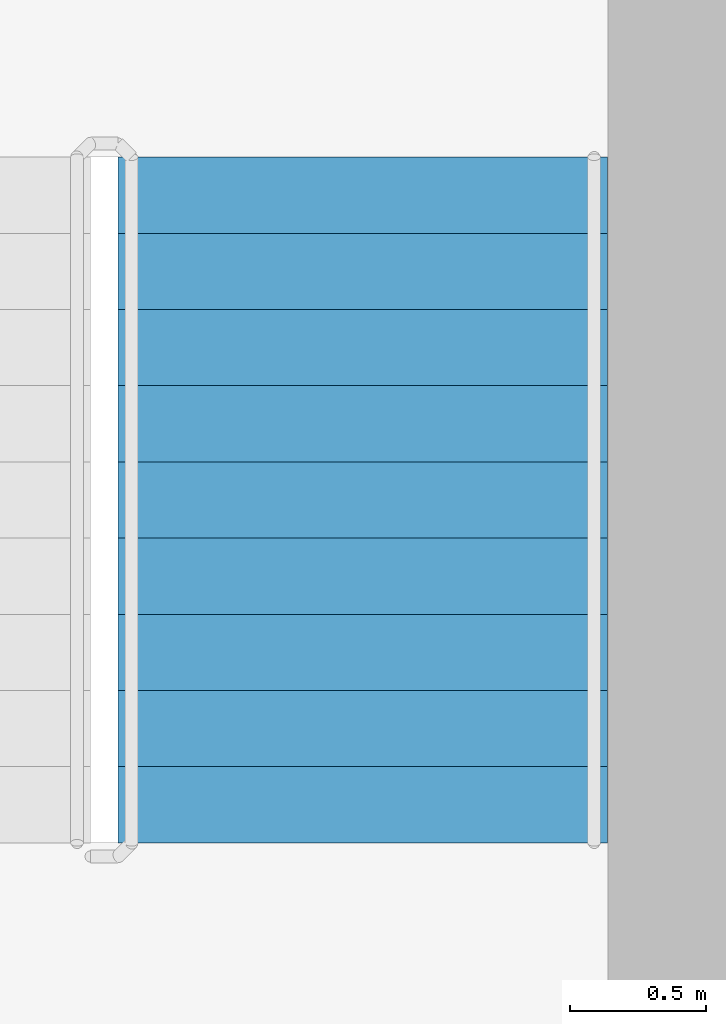
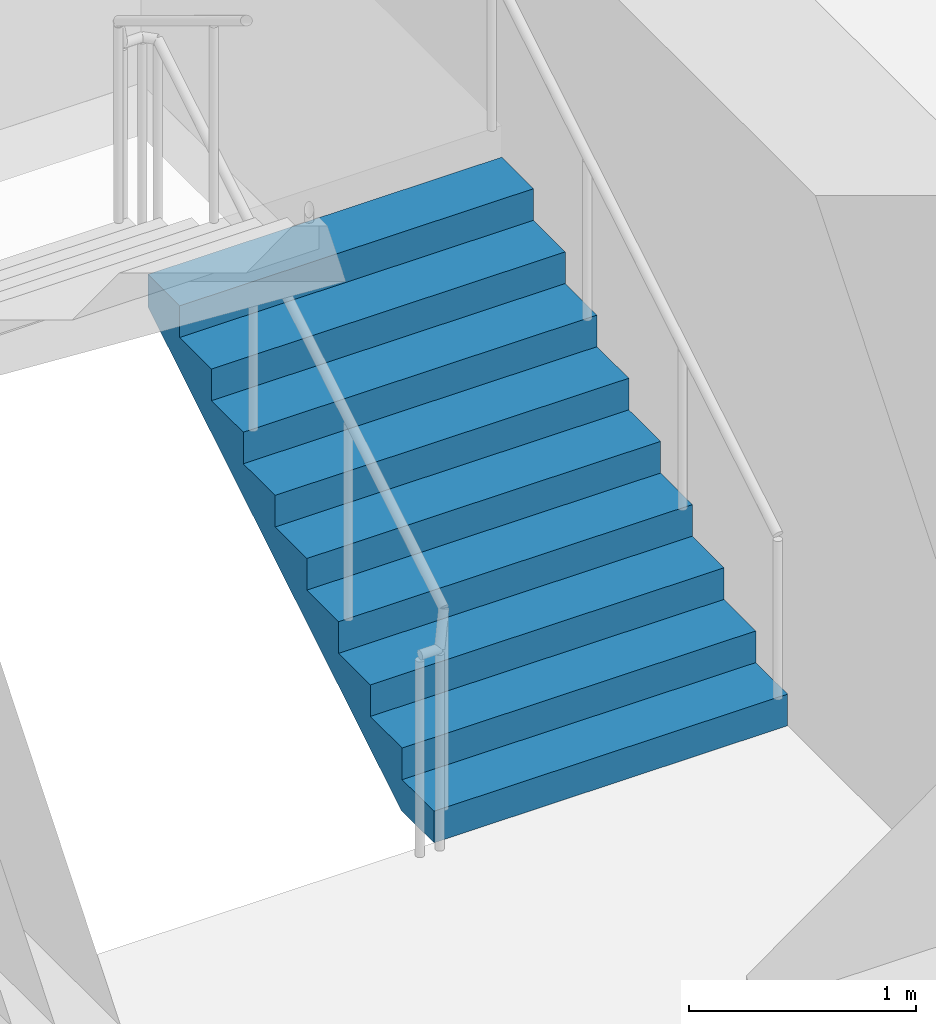
# One storey, part 10 of 13: 1 stair flight, 1 element without a shape of its own.
"""IFC4 building model written with IfcOpenShell, lengths in metres."""

from ifc_helpers import new_model, si_unit, direction, frame, origin, place, context, subcontext, project, spatial, triangles, source, transform, mapped, material, type_object, element, aggregate, save


model = new_model("IFC4")

# Units and contexts
model_context = context("Model", 3, precision=1e-05, world=origin(), true_north=direction((0.0, 1.0)))
body_context = subcontext(model_context, "Body", "Model", "MODEL_VIEW")
ifc_project = project(units=[si_unit("LENGTHUNIT", "METRE"), si_unit("AREAUNIT", "SQUARE_METRE"), si_unit("VOLUMEUNIT", "CUBIC_METRE"), si_unit("PLANEANGLEUNIT", "RADIAN"), si_unit("MASSUNIT", "GRAM", prefix="KILO")], contexts=[model_context])

# Site, building, storey
site_placement = place(None, origin())
site = spatial("IfcSite", under=ifc_project, at=site_placement, CompositionType="ELEMENT")
building_placement = place(site_placement, origin())
building = spatial("IfcBuilding", under=site, at=building_placement, Name="Kilnfold Tower and Market Hall", CompositionType="ELEMENT")
storey_placement = place(building_placement, frame((0.0, 0.0, 259.39990234375)))
storey = spatial("IfcBuildingStorey", under=building, at=storey_placement, Name="L63", CompositionType="ELEMENT", Elevation=259.39990234375)

# Stair, stair flight
ifc_material_1 = material(Name="Concrete C40/50", Category="concrete")
stair_type = type_object("IfcStairType", Name="CORE STAIR 1800", PredefinedType="HALF_TURN_STAIR", material=ifc_material_1)
stair_placement = place(storey_placement, origin())
stair = element("IfcStair", 1, at=stair_placement, inside=storey, type_object=stair_type, Name="L63 ST2", PredefinedType="HALF_TURN_STAIR")
ifc_material_2 = material(Name="Concrete C40/50", Category="concrete")
stair_flight_type = type_object("IfcStairFlightType", Name="CORE STAIR FLIGHT 1800", PredefinedType="STRAIGHT", material=ifc_material_2)
shared_shape = source(origin(), body_context, "Body", "Tessellation", [
    triangles([(0.0, 0.89990234375, 0.0), (0.0, 0.78759765625, 0.0), (0.0, 0.675048828125, 0.0), (0.0, 0.5625, 0.0), (0.0, 0.449951171875, 0.0), (0.0, 0.33740234375, 0.0), (0.0, 0.22509765625, 0.0), (0.0, 0.112548828125, 0.0), (0.0, 0.0, 0.0), (0.0, -0.112548828125, 0.0), (0.0, -0.22509765625, 0.0), (0.0, -0.33740234375, 0.0), (0.0, -0.449951171875, 0.0), (0.0, -0.5625, 0.0), (0.0, -0.675048828125, 0.0), (0.0, -0.78759765625, 0.0), (0.0, -0.89990234375, 0.0), (0.0, 0.89990234375, 0.169921875), (0.0, 0.78759765625, 0.169921875), (0.0, 0.675048828125, 0.169921875), (0.0, 0.5625, 0.169921875), (0.0, 0.449951171875, 0.169921875), (0.0, 0.33740234375, 0.169921875), (0.0, 0.22509765625, 0.169921875), (0.0, 0.112548828125, 0.169921875), (0.0, 0.0, 0.169921875), (0.0, -0.112548828125, 0.169921875), (0.0, -0.22509765625, 0.169921875), (0.0, -0.33740234375, 0.169921875), (0.0, -0.449951171875, 0.169921875), (0.0, -0.5625, 0.169921875), (0.0, -0.675048828125, 0.169921875), (0.0, -0.78759765625, 0.169921875), (0.0, -0.89990234375, 0.169921875), (0.280029296875, 0.89990234375, 0.169921875), (0.280029296875, 0.78759765625, 0.169921875), (0.280029296875, 0.675048828125, 0.169921875), (0.280029296875, 0.5625, 0.169921875), (0.280029296875, 0.449951171875, 0.169921875), (0.280029296875, 0.33740234375, 0.169921875), (0.280029296875, 0.22509765625, 0.169921875), (0.280029296875, 0.112548828125, 0.169921875), (0.280029296875, 0.0, 0.169921875), (0.280029296875, -0.112548828125, 0.169921875), (0.280029296875, -0.22509765625, 0.169921875), (0.280029296875, -0.33740234375, 0.169921875), (0.280029296875, -0.449951171875, 0.169921875), (0.280029296875, -0.5625, 0.169921875), (0.280029296875, -0.675048828125, 0.169921875), (0.280029296875, -0.78759765625, 0.169921875), (0.280029296875, -0.89990234375, 0.169921875), (0.280029296875, 0.89990234375, 0.340087890625), (0.280029296875, 0.78759765625, 0.340087890625), (0.280029296875, 0.675048828125, 0.340087890625), (0.280029296875, 0.5625, 0.340087890625), (0.280029296875, 0.449951171875, 0.340087890625), (0.280029296875, 0.33740234375, 0.340087890625), (0.280029296875, 0.22509765625, 0.340087890625), (0.280029296875, 0.112548828125, 0.340087890625), (0.280029296875, 0.0, 0.340087890625), (0.280029296875, -0.112548828125, 0.340087890625), (0.280029296875, -0.22509765625, 0.340087890625), (0.280029296875, -0.33740234375, 0.340087890625), (0.280029296875, -0.449951171875, 0.340087890625), (0.280029296875, -0.5625, 0.340087890625), (0.280029296875, -0.675048828125, 0.340087890625), (0.280029296875, -0.78759765625, 0.340087890625), (0.280029296875, -0.89990234375, 0.340087890625), (0.56005859375, 0.89990234375, 0.340087890625), (0.56005859375, 0.78759765625, 0.340087890625), (0.56005859375, 0.675048828125, 0.340087890625), (0.56005859375, 0.5625, 0.340087890625), (0.56005859375, 0.449951171875, 0.340087890625), (0.56005859375, 0.33740234375, 0.340087890625), (0.56005859375, 0.22509765625, 0.340087890625), (0.56005859375, 0.112548828125, 0.340087890625), (0.56005859375, 0.0, 0.340087890625), (0.56005859375, -0.112548828125, 0.340087890625), (0.56005859375, -0.22509765625, 0.340087890625), (0.56005859375, -0.33740234375, 0.340087890625), (0.56005859375, -0.449951171875, 0.340087890625), (0.56005859375, -0.5625, 0.340087890625), (0.56005859375, -0.675048828125, 0.340087890625), (0.56005859375, -0.78759765625, 0.340087890625), (0.56005859375, -0.89990234375, 0.340087890625), (0.56005859375, 0.89990234375, 0.510009765625), (0.56005859375, 0.78759765625, 0.510009765625), (0.56005859375, 0.675048828125, 0.510009765625), (0.56005859375, 0.5625, 0.510009765625), (0.56005859375, 0.449951171875, 0.510009765625), (0.56005859375, 0.33740234375, 0.510009765625), (0.56005859375, 0.22509765625, 0.510009765625), (0.56005859375, 0.112548828125, 0.510009765625), (0.56005859375, 0.0, 0.510009765625), (0.56005859375, -0.112548828125, 0.510009765625), (0.56005859375, -0.22509765625, 0.510009765625), (0.56005859375, -0.33740234375, 0.510009765625), (0.56005859375, -0.449951171875, 0.510009765625), (0.56005859375, -0.5625, 0.510009765625), (0.56005859375, -0.675048828125, 0.510009765625), (0.56005859375, -0.78759765625, 0.510009765625), (0.56005859375, -0.89990234375, 0.510009765625), (0.840087890625, 0.89990234375, 0.510009765625), (0.840087890625, 0.78759765625, 0.510009765625), (0.840087890625, 0.675048828125, 0.510009765625), (0.840087890625, 0.5625, 0.510009765625), (0.840087890625, 0.449951171875, 0.510009765625), (0.840087890625, 0.33740234375, 0.510009765625), (0.840087890625, 0.22509765625, 0.510009765625), (0.840087890625, 0.112548828125, 0.510009765625), (0.840087890625, 0.0, 0.510009765625), (0.840087890625, -0.112548828125, 0.510009765625), (0.840087890625, -0.22509765625, 0.510009765625), (0.840087890625, -0.33740234375, 0.510009765625), (0.840087890625, -0.449951171875, 0.510009765625), (0.840087890625, -0.5625, 0.510009765625), (0.840087890625, -0.675048828125, 0.510009765625), (0.840087890625, -0.78759765625, 0.510009765625), (0.840087890625, -0.89990234375, 0.510009765625), (0.840087890625, 0.89990234375, 0.679931640625), (0.840087890625, 0.78759765625, 0.679931640625), (0.840087890625, 0.675048828125, 0.679931640625), (0.840087890625, 0.5625, 0.679931640625), (0.840087890625, 0.449951171875, 0.679931640625), (0.840087890625, 0.33740234375, 0.679931640625), (0.840087890625, 0.22509765625, 0.679931640625), (0.840087890625, 0.112548828125, 0.679931640625), (0.840087890625, 0.0, 0.679931640625), (0.840087890625, -0.112548828125, 0.679931640625), (0.840087890625, -0.22509765625, 0.679931640625), (0.840087890625, -0.33740234375, 0.679931640625), (0.840087890625, -0.449951171875, 0.679931640625), (0.840087890625, -0.5625, 0.679931640625), (0.840087890625, -0.675048828125, 0.679931640625), (0.840087890625, -0.78759765625, 0.679931640625), (0.840087890625, -0.89990234375, 0.679931640625), (1.1201171875, 0.89990234375, 0.679931640625), (1.1201171875, 0.78759765625, 0.679931640625), (1.1201171875, 0.675048828125, 0.679931640625), (1.1201171875, 0.5625, 0.679931640625), (1.1201171875, 0.449951171875, 0.679931640625), (1.1201171875, 0.33740234375, 0.679931640625), (1.1201171875, 0.22509765625, 0.679931640625), (1.1201171875, 0.112548828125, 0.679931640625), (1.1201171875, 0.0, 0.679931640625), (1.1201171875, -0.112548828125, 0.679931640625), (1.1201171875, -0.22509765625, 0.679931640625), (1.1201171875, -0.33740234375, 0.679931640625), (1.1201171875, -0.449951171875, 0.679931640625), (1.1201171875, -0.5625, 0.679931640625), (1.1201171875, -0.675048828125, 0.679931640625), (1.1201171875, -0.78759765625, 0.679931640625), (1.1201171875, -0.89990234375, 0.679931640625), (1.1201171875, 0.89990234375, 0.85009765625), (1.1201171875, 0.78759765625, 0.85009765625), (1.1201171875, 0.675048828125, 0.85009765625), (1.1201171875, 0.5625, 0.85009765625), (1.1201171875, 0.449951171875, 0.85009765625), (1.1201171875, 0.33740234375, 0.85009765625), (1.1201171875, 0.22509765625, 0.85009765625), (1.1201171875, 0.112548828125, 0.85009765625), (1.1201171875, 0.0, 0.85009765625), (1.1201171875, -0.112548828125, 0.85009765625), (1.1201171875, -0.22509765625, 0.85009765625), (1.1201171875, -0.33740234375, 0.85009765625), (1.1201171875, -0.449951171875, 0.85009765625), (1.1201171875, -0.5625, 0.85009765625), (1.1201171875, -0.675048828125, 0.85009765625), (1.1201171875, -0.78759765625, 0.85009765625), (1.1201171875, -0.89990234375, 0.85009765625), (1.39990234375, 0.89990234375, 0.85009765625), (1.39990234375, 0.78759765625, 0.85009765625), (1.39990234375, 0.675048828125, 0.85009765625), (1.39990234375, 0.5625, 0.85009765625), (1.39990234375, 0.449951171875, 0.85009765625), (1.39990234375, 0.33740234375, 0.85009765625), (1.39990234375, 0.22509765625, 0.85009765625), (1.39990234375, 0.112548828125, 0.85009765625), (1.39990234375, 0.0, 0.85009765625), (1.39990234375, -0.112548828125, 0.85009765625), (1.39990234375, -0.22509765625, 0.85009765625), (1.39990234375, -0.33740234375, 0.85009765625), (1.39990234375, -0.449951171875, 0.85009765625), (1.39990234375, -0.5625, 0.85009765625), (1.39990234375, -0.675048828125, 0.85009765625), (1.39990234375, -0.78759765625, 0.85009765625), (1.39990234375, -0.89990234375, 0.85009765625), (1.39990234375, 0.89990234375, 1.02001953125), (1.39990234375, 0.78759765625, 1.02001953125), (1.39990234375, 0.675048828125, 1.02001953125), (1.39990234375, 0.5625, 1.02001953125), (1.39990234375, 0.449951171875, 1.02001953125), (1.39990234375, 0.33740234375, 1.02001953125), (1.39990234375, 0.22509765625, 1.02001953125), (1.39990234375, 0.112548828125, 1.02001953125), (1.39990234375, 0.0, 1.02001953125), (1.39990234375, -0.112548828125, 1.02001953125), (1.39990234375, -0.22509765625, 1.02001953125), (1.39990234375, -0.33740234375, 1.02001953125), (1.39990234375, -0.449951171875, 1.02001953125), (1.39990234375, -0.5625, 1.02001953125), (1.39990234375, -0.675048828125, 1.02001953125), (1.39990234375, -0.78759765625, 1.02001953125), (1.39990234375, -0.89990234375, 1.02001953125), (1.679931640625, 0.89990234375, 1.02001953125), (1.679931640625, 0.78759765625, 1.02001953125), (1.679931640625, 0.675048828125, 1.02001953125), (1.679931640625, 0.5625, 1.02001953125), (1.679931640625, 0.449951171875, 1.02001953125), (1.679931640625, 0.33740234375, 1.02001953125), (1.679931640625, 0.22509765625, 1.02001953125), (1.679931640625, 0.112548828125, 1.02001953125), (1.679931640625, 0.0, 1.02001953125), (1.679931640625, -0.112548828125, 1.02001953125), (1.679931640625, -0.22509765625, 1.02001953125), (1.679931640625, -0.33740234375, 1.02001953125), (1.679931640625, -0.449951171875, 1.02001953125), (1.679931640625, -0.5625, 1.02001953125), (1.679931640625, -0.675048828125, 1.02001953125), (1.679931640625, -0.78759765625, 1.02001953125), (1.679931640625, -0.89990234375, 1.02001953125), (1.679931640625, 0.89990234375, 1.18994140625), (1.679931640625, 0.78759765625, 1.18994140625), (1.679931640625, 0.675048828125, 1.18994140625), (1.679931640625, 0.5625, 1.18994140625), (1.679931640625, 0.449951171875, 1.18994140625), (1.679931640625, 0.33740234375, 1.18994140625), (1.679931640625, 0.22509765625, 1.18994140625), (1.679931640625, 0.112548828125, 1.18994140625), (1.679931640625, 0.0, 1.18994140625), (1.679931640625, -0.112548828125, 1.18994140625), (1.679931640625, -0.22509765625, 1.18994140625), (1.679931640625, -0.33740234375, 1.18994140625), (1.679931640625, -0.449951171875, 1.18994140625), (1.679931640625, -0.5625, 1.18994140625), (1.679931640625, -0.675048828125, 1.18994140625), (1.679931640625, -0.78759765625, 1.18994140625), (1.679931640625, -0.89990234375, 1.18994140625), (1.9599609375, 0.89990234375, 1.18994140625), (1.9599609375, 0.78759765625, 1.18994140625), (1.9599609375, 0.675048828125, 1.18994140625), (1.9599609375, 0.5625, 1.18994140625), (1.9599609375, 0.449951171875, 1.18994140625), (1.9599609375, 0.33740234375, 1.18994140625), (1.9599609375, 0.22509765625, 1.18994140625), (1.9599609375, 0.112548828125, 1.18994140625), (1.9599609375, 0.0, 1.18994140625), (1.9599609375, -0.112548828125, 1.18994140625), (1.9599609375, -0.22509765625, 1.18994140625), (1.9599609375, -0.33740234375, 1.18994140625), (1.9599609375, -0.449951171875, 1.18994140625), (1.9599609375, -0.5625, 1.18994140625), (1.9599609375, -0.675048828125, 1.18994140625), (1.9599609375, -0.78759765625, 1.18994140625), (1.9599609375, -0.89990234375, 1.18994140625), (1.9599609375, 0.89990234375, 1.360107421875), (1.9599609375, 0.78759765625, 1.360107421875), (1.9599609375, 0.675048828125, 1.360107421875), (1.9599609375, 0.5625, 1.360107421875), (1.9599609375, 0.449951171875, 1.360107421875), (1.9599609375, 0.33740234375, 1.360107421875), (1.9599609375, 0.22509765625, 1.360107421875), (1.9599609375, 0.112548828125, 1.360107421875), (1.9599609375, 0.0, 1.360107421875), (1.9599609375, -0.112548828125, 1.360107421875), (1.9599609375, -0.22509765625, 1.360107421875), (1.9599609375, -0.33740234375, 1.360107421875), (1.9599609375, -0.449951171875, 1.360107421875), (1.9599609375, -0.5625, 1.360107421875), (1.9599609375, -0.675048828125, 1.360107421875), (1.9599609375, -0.78759765625, 1.360107421875), (1.9599609375, -0.89990234375, 1.360107421875), (2.239990234375, 0.89990234375, 1.360107421875), (2.239990234375, 0.78759765625, 1.360107421875), (2.239990234375, 0.675048828125, 1.360107421875), (2.239990234375, 0.5625, 1.360107421875), (2.239990234375, 0.449951171875, 1.360107421875), (2.239990234375, 0.33740234375, 1.360107421875), (2.239990234375, 0.22509765625, 1.360107421875), (2.239990234375, 0.112548828125, 1.360107421875), (2.239990234375, 0.0, 1.360107421875), (2.239990234375, -0.112548828125, 1.360107421875), (2.239990234375, -0.22509765625, 1.360107421875), (2.239990234375, -0.33740234375, 1.360107421875), (2.239990234375, -0.449951171875, 1.360107421875), (2.239990234375, -0.5625, 1.360107421875), (2.239990234375, -0.675048828125, 1.360107421875), (2.239990234375, -0.78759765625, 1.360107421875), (2.239990234375, -0.89990234375, 1.360107421875), (2.239990234375, 0.89990234375, 1.530029296875), (2.239990234375, 0.78759765625, 1.530029296875), (2.239990234375, 0.675048828125, 1.530029296875), (2.239990234375, 0.5625, 1.530029296875), (2.239990234375, 0.449951171875, 1.530029296875), (2.239990234375, 0.33740234375, 1.530029296875), (2.239990234375, 0.22509765625, 1.530029296875), (2.239990234375, 0.112548828125, 1.530029296875), (2.239990234375, 0.0, 1.530029296875), (2.239990234375, -0.112548828125, 1.530029296875), (2.239990234375, -0.22509765625, 1.530029296875), (2.239990234375, -0.33740234375, 1.530029296875), (2.239990234375, -0.449951171875, 1.530029296875), (2.239990234375, -0.5625, 1.530029296875), (2.239990234375, -0.675048828125, 1.530029296875), (2.239990234375, -0.78759765625, 1.530029296875), (2.239990234375, -0.89990234375, 1.530029296875), (2.52001953125, 0.89990234375, 1.530029296875), (2.52001953125, 0.78759765625, 1.530029296875), (2.52001953125, 0.675048828125, 1.530029296875), (2.52001953125, 0.5625, 1.530029296875), (2.52001953125, 0.449951171875, 1.530029296875), (2.52001953125, 0.33740234375, 1.530029296875), (2.52001953125, 0.22509765625, 1.530029296875), (2.52001953125, 0.112548828125, 1.530029296875), (2.52001953125, 0.0, 1.530029296875), (2.52001953125, -0.112548828125, 1.530029296875), (2.52001953125, -0.22509765625, 1.530029296875), (2.52001953125, -0.33740234375, 1.530029296875), (2.52001953125, -0.449951171875, 1.530029296875), (2.52001953125, -0.5625, 1.530029296875), (2.52001953125, -0.675048828125, 1.530029296875), (2.52001953125, -0.78759765625, 1.530029296875), (2.52001953125, -0.89990234375, 1.530029296875), (2.52001953125, 0.89990234375, 1.354736328125), (2.52001953125, 0.78759765625, 1.354736328125), (2.52001953125, 0.675048828125, 1.354736328125), (2.52001953125, 0.5625, 1.354736328125), (2.52001953125, 0.449951171875, 1.354736328125), (2.52001953125, 0.33740234375, 1.354736328125), (2.52001953125, 0.22509765625, 1.354736328125), (2.52001953125, 0.112548828125, 1.354736328125), (2.52001953125, 0.0, 1.354736328125), (2.52001953125, -0.112548828125, 1.354736328125), (2.52001953125, -0.22509765625, 1.354736328125), (2.52001953125, -0.33740234375, 1.354736328125), (2.52001953125, -0.449951171875, 1.354736328125), (2.52001953125, -0.5625, 1.354736328125), (2.52001953125, -0.675048828125, 1.354736328125), (2.52001953125, -0.78759765625, 1.354736328125), (2.52001953125, -0.89990234375, 1.354736328125), (0.288818359375, 0.89990234375, 0.0), (0.288818359375, 0.78759765625, 0.0), (0.288818359375, 0.675048828125, 0.0), (0.288818359375, 0.5625, 0.0), (0.288818359375, 0.449951171875, 0.0), (0.288818359375, 0.33740234375, 0.0), (0.288818359375, 0.22509765625, 0.0), (0.288818359375, 0.112548828125, 0.0), (0.288818359375, 0.0, 0.0), (0.288818359375, -0.112548828125, 0.0), (0.288818359375, -0.22509765625, 0.0), (0.288818359375, -0.33740234375, 0.0), (0.288818359375, -0.449951171875, 0.0), (0.288818359375, -0.5625, 0.0), (0.288818359375, -0.675048828125, 0.0), (0.288818359375, -0.78759765625, 0.0), (0.288818359375, -0.89990234375, 0.0)], [[1, 324, 341], [17, 357, 340], [324, 290, 307], [340, 323, 306], [324, 273, 290], [340, 306, 289], [324, 256, 273], [340, 289, 272], [324, 239, 256], [340, 272, 255], [239, 205, 222], [255, 238, 221], [324, 205, 239], [340, 255, 221], [205, 171, 188], [221, 204, 187], [324, 171, 205], [340, 221, 187], [171, 137, 154], [187, 170, 153], [324, 137, 171], [340, 187, 153], [137, 103, 120], [153, 136, 119], [324, 103, 137], [340, 153, 119], [103, 69, 86], [119, 102, 85], [324, 69, 103], [340, 119, 85], [69, 35, 52], [85, 68, 51], [324, 35, 69], [340, 85, 51], [1, 35, 324], [17, 340, 51], [35, 1, 18], [51, 34, 17], [1, 19, 18], [1, 2, 19], [2, 20, 19], [2, 3, 20], [3, 21, 20], [3, 4, 21], [4, 22, 21], [4, 5, 22], [5, 23, 22], [5, 6, 23], [6, 24, 23], [6, 7, 24], [7, 25, 24], [7, 8, 25], [8, 26, 25], [8, 9, 26], [9, 27, 26], [9, 10, 27], [10, 28, 27], [10, 11, 28], [11, 29, 28], [11, 12, 29], [12, 30, 29], [12, 13, 30], [13, 31, 30], [13, 14, 31], [14, 32, 31], [14, 15, 32], [15, 33, 32], [15, 16, 33], [16, 34, 33], [16, 17, 34], [18, 36, 35], [18, 19, 36], [19, 37, 36], [19, 20, 37], [20, 38, 37], [20, 21, 38], [21, 39, 38], [21, 22, 39], [22, 40, 39], [22, 23, 40], [23, 41, 40], [23, 24, 41], [24, 42, 41], [24, 25, 42], [25, 43, 42], [25, 26, 43], [26, 44, 43], [26, 27, 44], [27, 45, 44], [27, 28, 45], [28, 46, 45], [28, 29, 46], [29, 47, 46], [29, 30, 47], [30, 48, 47], [30, 31, 48], [31, 49, 48], [31, 32, 49], [32, 50, 49], [32, 33, 50], [33, 51, 50], [33, 34, 51], [35, 53, 52], [35, 36, 53], [36, 54, 53], [36, 37, 54], [37, 55, 54], [37, 38, 55], [38, 56, 55], [38, 39, 56], [39, 57, 56], [39, 40, 57], [40, 58, 57], [40, 41, 58], [41, 59, 58], [41, 42, 59], [42, 60, 59], [42, 43, 60], [43, 61, 60], [43, 44, 61], [44, 62, 61], [44, 45, 62], [45, 63, 62], [45, 46, 63], [46, 64, 63], [46, 47, 64], [47, 65, 64], [47, 48, 65], [48, 66, 65], [48, 49, 66], [49, 67, 66], [49, 50, 67], [50, 68, 67], [50, 51, 68], [52, 70, 69], [52, 53, 70], [53, 71, 70], [53, 54, 71], [54, 72, 71], [54, 55, 72], [55, 73, 72], [55, 56, 73], [56, 74, 73], [56, 57, 74], [57, 75, 74], [57, 58, 75], [58, 76, 75], [58, 59, 76], [59, 77, 76], [59, 60, 77], [60, 78, 77], [60, 61, 78], [61, 79, 78], [61, 62, 79], [62, 80, 79], [62, 63, 80], [63, 81, 80], [63, 64, 81], [64, 82, 81], [64, 65, 82], [65, 83, 82], [65, 66, 83], [66, 84, 83], [66, 67, 84], [67, 85, 84], [67, 68, 85], [69, 87, 86], [69, 70, 87], [70, 88, 87], [70, 71, 88], [71, 89, 88], [71, 72, 89], [72, 90, 89], [72, 73, 90], [73, 91, 90], [73, 74, 91], [74, 92, 91], [74, 75, 92], [75, 93, 92], [75, 76, 93], [76, 94, 93], [76, 77, 94], [77, 95, 94], [77, 78, 95], [78, 96, 95], [78, 79, 96], [79, 97, 96], [79, 80, 97], [80, 98, 97], [80, 81, 98], [81, 99, 98], [81, 82, 99], [82, 100, 99], [82, 83, 100], [83, 101, 100], [83, 84, 101], [84, 102, 101], [84, 85, 102], [86, 104, 103], [86, 87, 104], [87, 105, 104], [87, 88, 105], [88, 106, 105], [88, 89, 106], [89, 107, 106], [89, 90, 107], [90, 108, 107], [90, 91, 108], [91, 109, 108], [91, 92, 109], [92, 110, 109], [92, 93, 110], [93, 111, 110], [93, 94, 111], [94, 112, 111], [94, 95, 112], [95, 113, 112], [95, 96, 113], [96, 114, 113], [96, 97, 114], [97, 115, 114], [97, 98, 115], [98, 116, 115], [98, 99, 116], [99, 117, 116], [99, 100, 117], [100, 118, 117], [100, 101, 118], [101, 119, 118], [101, 102, 119], [103, 121, 120], [103, 104, 121], [104, 122, 121], [104, 105, 122], [105, 123, 122], [105, 106, 123], [106, 124, 123], [106, 107, 124], [107, 125, 124], [107, 108, 125], [108, 126, 125], [108, 109, 126], [109, 127, 126], [109, 110, 127], [110, 128, 127], [110, 111, 128], [111, 129, 128], [111, 112, 129], [112, 130, 129], [112, 113, 130], [113, 131, 130], [113, 114, 131], [114, 132, 131], [114, 115, 132], [115, 133, 132], [115, 116, 133], [116, 134, 133], [116, 117, 134], [117, 135, 134], [117, 118, 135], [118, 136, 135], [118, 119, 136], [120, 138, 137], [120, 121, 138], [121, 139, 138], [121, 122, 139], [122, 140, 139], [122, 123, 140], [123, 141, 140], [123, 124, 141], [124, 142, 141], [124, 125, 142], [125, 143, 142], [125, 126, 143], [126, 144, 143], [126, 127, 144], [127, 145, 144], [127, 128, 145], [128, 146, 145], [128, 129, 146], [129, 147, 146], [129, 130, 147], [130, 148, 147], [130, 131, 148], [131, 149, 148], [131, 132, 149], [132, 150, 149], [132, 133, 150], [133, 151, 150], [133, 134, 151], [134, 152, 151], [134, 135, 152], [135, 153, 152], [135, 136, 153], [137, 155, 154], [137, 138, 155], [138, 156, 155], [138, 139, 156], [139, 157, 156], [139, 140, 157], [140, 158, 157], [140, 141, 158], [141, 159, 158], [141, 142, 159], [142, 160, 159], [142, 143, 160], [143, 161, 160], [143, 144, 161], [144, 162, 161], [144, 145, 162], [145, 163, 162], [145, 146, 163], [146, 164, 163], [146, 147, 164], [147, 165, 164], [147, 148, 165], [148, 166, 165], [148, 149, 166], [149, 167, 166], [149, 150, 167], [150, 168, 167], [150, 151, 168], [151, 169, 168], [151, 152, 169], [152, 170, 169], [152, 153, 170], [154, 172, 171], [154, 155, 172], [155, 173, 172], [155, 156, 173], [156, 174, 173], [156, 157, 174], [157, 175, 174], [157, 158, 175], [158, 176, 175], [158, 159, 176], [159, 177, 176], [159, 160, 177], [160, 178, 177], [160, 161, 178], [161, 179, 178], [161, 162, 179], [162, 180, 179], [162, 163, 180], [163, 181, 180], [163, 164, 181], [164, 182, 181], [164, 165, 182], [165, 183, 182], [165, 166, 183], [166, 184, 183], [166, 167, 184], [167, 185, 184], [167, 168, 185], [168, 186, 185], [168, 169, 186], [169, 187, 186], [169, 170, 187], [171, 189, 188], [171, 172, 189], [172, 190, 189], [172, 173, 190], [173, 191, 190], [173, 174, 191], [174, 192, 191], [174, 175, 192], [175, 193, 192], [175, 176, 193], [176, 194, 193], [176, 177, 194], [177, 195, 194], [177, 178, 195], [178, 196, 195], [178, 179, 196], [179, 197, 196], [179, 180, 197], [180, 198, 197], [180, 181, 198], [181, 199, 198], [181, 182, 199], [182, 200, 199], [182, 183, 200], [183, 201, 200], [183, 184, 201], [184, 202, 201], [184, 185, 202], [185, 203, 202], [185, 186, 203], [186, 204, 203], [186, 187, 204], [188, 206, 205], [188, 189, 206], [189, 207, 206], [189, 190, 207], [190, 208, 207], [190, 191, 208], [191, 209, 208], [191, 192, 209], [192, 210, 209], [192, 193, 210], [193, 211, 210], [193, 194, 211], [194, 212, 211], [194, 195, 212], [195, 213, 212], [195, 196, 213], [196, 214, 213], [196, 197, 214], [197, 215, 214], [197, 198, 215], [198, 216, 215], [198, 199, 216], [199, 217, 216], [199, 200, 217], [200, 218, 217], [200, 201, 218], [201, 219, 218], [201, 202, 219], [202, 220, 219], [202, 203, 220], [203, 221, 220], [203, 204, 221], [205, 223, 222], [205, 206, 223], [206, 224, 223], [206, 207, 224], [207, 225, 224], [207, 208, 225], [208, 226, 225], [208, 209, 226], [209, 227, 226], [209, 210, 227], [210, 228, 227], [210, 211, 228], [211, 229, 228], [211, 212, 229], [212, 230, 229], [212, 213, 230], [213, 231, 230], [213, 214, 231], [214, 232, 231], [214, 215, 232], [215, 233, 232], [215, 216, 233], [216, 234, 233], [216, 217, 234], [217, 235, 234], [217, 218, 235], [218, 236, 235], [218, 219, 236], [219, 237, 236], [219, 220, 237], [220, 238, 237], [220, 221, 238], [222, 240, 239], [222, 223, 240], [223, 241, 240], [223, 224, 241], [224, 242, 241], [224, 225, 242], [225, 243, 242], [225, 226, 243], [226, 244, 243], [226, 227, 244], [227, 245, 244], [227, 228, 245], [228, 246, 245], [228, 229, 246], [229, 247, 246], [229, 230, 247], [230, 248, 247], [230, 231, 248], [231, 249, 248], [231, 232, 249], [232, 250, 249], [232, 233, 250], [233, 251, 250], [233, 234, 251], [234, 252, 251], [234, 235, 252], [235, 253, 252], [235, 236, 253], [236, 254, 253], [236, 237, 254], [237, 255, 254], [237, 238, 255], [239, 257, 256], [239, 240, 257], [240, 258, 257], [240, 241, 258], [241, 259, 258], [241, 242, 259], [242, 260, 259], [242, 243, 260], [243, 261, 260], [243, 244, 261], [244, 262, 261], [244, 245, 262], [245, 263, 262], [245, 246, 263], [246, 264, 263], [246, 247, 264], [247, 265, 264], [247, 248, 265], [248, 266, 265], [248, 249, 266], [249, 267, 266], [249, 250, 267], [250, 268, 267], [250, 251, 268], [251, 269, 268], [251, 252, 269], [252, 270, 269], [252, 253, 270], [253, 271, 270], [253, 254, 271], [254, 272, 271], [254, 255, 272], [256, 274, 273], [256, 257, 274], [257, 275, 274], [257, 258, 275], [258, 276, 275], [258, 259, 276], [259, 277, 276], [259, 260, 277], [260, 278, 277], [260, 261, 278], [261, 279, 278], [261, 262, 279], [262, 280, 279], [262, 263, 280], [263, 281, 280], [263, 264, 281], [264, 282, 281], [264, 265, 282], [265, 283, 282], [265, 266, 283], [266, 284, 283], [266, 267, 284], [267, 285, 284], [267, 268, 285], [268, 286, 285], [268, 269, 286], [269, 287, 286], [269, 270, 287], [270, 288, 287], [270, 271, 288], [271, 289, 288], [271, 272, 289], [273, 291, 290], [273, 274, 291], [274, 292, 291], [274, 275, 292], [275, 293, 292], [275, 276, 293], [276, 294, 293], [276, 277, 294], [277, 295, 294], [277, 278, 295], [278, 296, 295], [278, 279, 296], [279, 297, 296], [279, 280, 297], [280, 298, 297], [280, 281, 298], [281, 299, 298], [281, 282, 299], [282, 300, 299], [282, 283, 300], [283, 301, 300], [283, 284, 301], [284, 302, 301], [284, 285, 302], [285, 303, 302], [285, 286, 303], [286, 304, 303], [286, 287, 304], [287, 305, 304], [287, 288, 305], [288, 306, 305], [288, 289, 306], [290, 308, 307], [290, 291, 308], [291, 309, 308], [291, 292, 309], [292, 310, 309], [292, 293, 310], [293, 311, 310], [293, 294, 311], [294, 312, 311], [294, 295, 312], [295, 313, 312], [295, 296, 313], [296, 314, 313], [296, 297, 314], [297, 315, 314], [297, 298, 315], [298, 316, 315], [298, 299, 316], [299, 317, 316], [299, 300, 317], [300, 318, 317], [300, 301, 318], [301, 319, 318], [301, 302, 319], [302, 320, 319], [302, 303, 320], [303, 321, 320], [303, 304, 321], [304, 322, 321], [304, 305, 322], [305, 323, 322], [305, 306, 323], [307, 325, 324], [307, 308, 325], [308, 326, 325], [308, 309, 326], [309, 327, 326], [309, 310, 327], [310, 328, 327], [310, 311, 328], [311, 329, 328], [311, 312, 329], [312, 330, 329], [312, 313, 330], [313, 331, 330], [313, 314, 331], [314, 332, 331], [314, 315, 332], [315, 333, 332], [315, 316, 333], [316, 334, 333], [316, 317, 334], [317, 335, 334], [317, 318, 335], [318, 336, 335], [318, 319, 336], [319, 337, 336], [319, 320, 337], [320, 338, 337], [320, 321, 338], [321, 339, 338], [321, 322, 339], [322, 340, 339], [322, 323, 340], [324, 342, 341], [324, 325, 342], [325, 343, 342], [325, 326, 343], [326, 344, 343], [326, 327, 344], [327, 345, 344], [327, 328, 345], [328, 346, 345], [328, 329, 346], [329, 347, 346], [329, 330, 347], [330, 348, 347], [330, 331, 348], [331, 349, 348], [331, 332, 349], [332, 350, 349], [332, 333, 350], [333, 351, 350], [333, 334, 351], [334, 352, 351], [334, 335, 352], [335, 353, 352], [335, 336, 353], [336, 354, 353], [336, 337, 354], [337, 355, 354], [337, 338, 355], [338, 356, 355], [338, 339, 356], [339, 357, 356], [339, 340, 357], [341, 2, 1], [341, 342, 2], [342, 3, 2], [342, 343, 3], [343, 4, 3], [343, 344, 4], [344, 5, 4], [344, 345, 5], [345, 6, 5], [345, 346, 6], [346, 7, 6], [346, 347, 7], [347, 8, 7], [347, 348, 8], [348, 9, 8], [348, 349, 9], [349, 10, 9], [349, 350, 10], [350, 11, 10], [350, 351, 11], [351, 12, 11], [351, 352, 12], [352, 13, 12], [352, 353, 13], [353, 14, 13], [353, 354, 14], [354, 15, 14], [354, 355, 15], [355, 16, 15], [355, 356, 16], [356, 17, 16], [356, 357, 17]], closed=True),
])
stair_flight_placement = place(storey_placement, frame((16.199951171875, 10.800048828125, 0.0), z_axis=(0.0, 0.0, 1.0), x_axis=(0.0, 1.0, 0.0)))
stair_flight = element("IfcStairFlight", 2, at=stair_flight_placement, type_object=stair_flight_type, Name="ST2 flight 1", NumberOfRisers=10, NumberOfTreads=9, PredefinedType="STRAIGHT", RiserHeight=0.17, TreadLength=0.28, context=body_context, shape_type="MappedRepresentation", body=[
    mapped(shared_shape, transform((0.0, 0.0, 0.0))),
])
aggregate(stair, [stair_flight])

save(model, "model.ifc")
